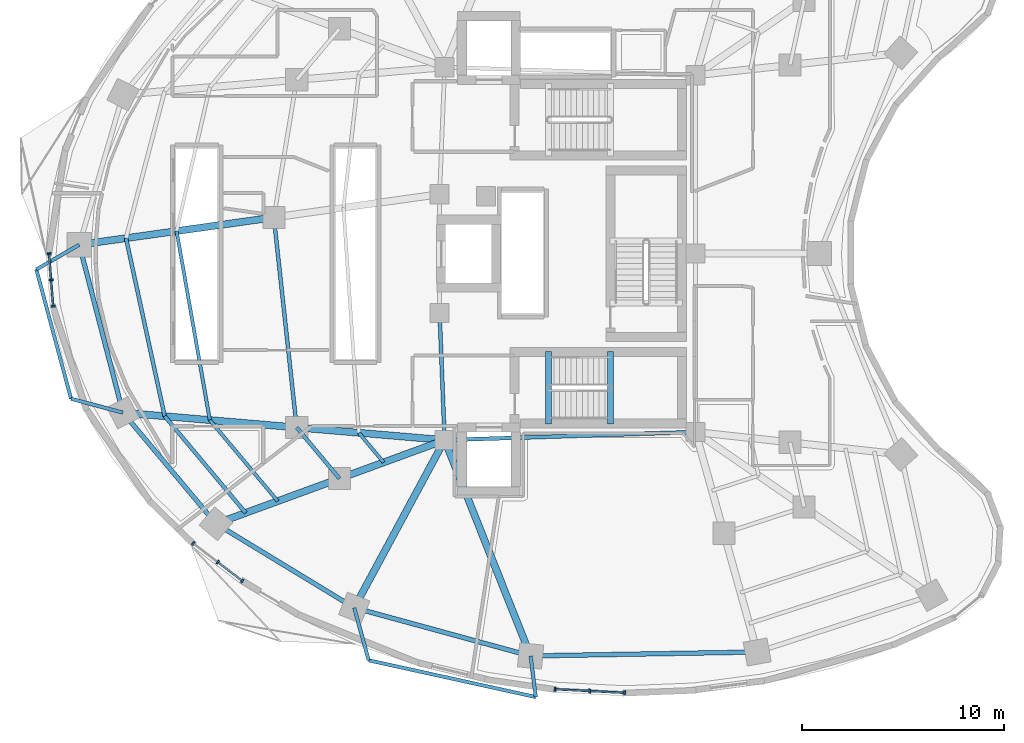
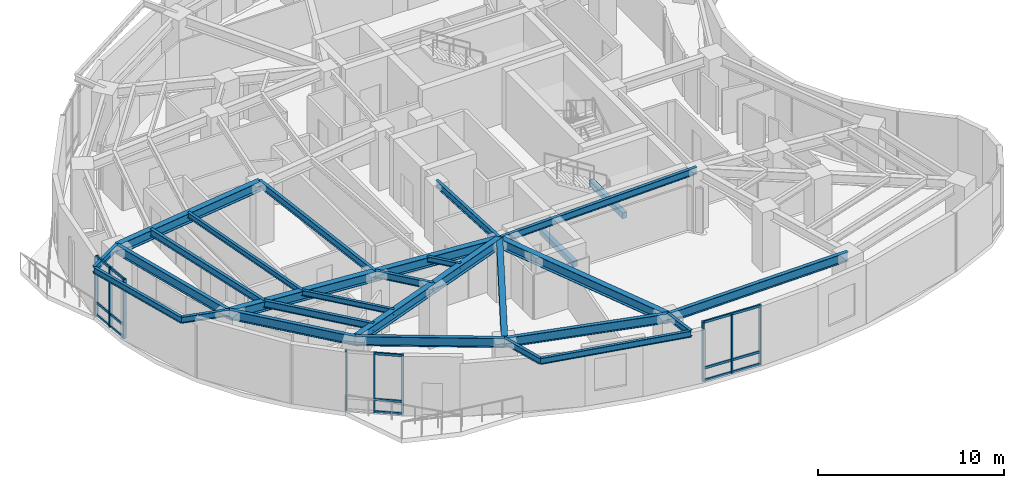
# One storey, part 2 of 14: 29 beams, 24 members, 3 elements without a shape of their own.
"""IFC4 building model written with IfcOpenShell, lengths in metres."""

import ifcopenshell
import ifcopenshell.guid

model = None  # the IFC model being written
_history = None  # IfcOwnerHistory: only IFC2X3 demands one
_inside = {}  # id of a spatial element -> (the spatial element, [elements in it])
_under = {}  # id of a project, library or spatial element -> (it, [spatial elements below it])
_declared = {}  # id of a project -> (the project, [libraries it declares])
_typed = {}  # id of a type object -> (the type object, [elements of that type])
_made_of = {}  # id of a material, layer set ... -> (it, [elements and type objects made of it])


def new_model(schema):
    """Start an empty IFC model of exactly this schema.

    Asked for "IFC4X3", IfcOpenShell would pick the latest addendum, in which some entities
    have other attributes; the version numbers below select the first issue.
    IFC2X3 requires an IfcOwnerHistory on every rooted entity: one is made here for all.
    """
    global model, _history
    if schema == "IFC4X3":
        model = ifcopenshell.file(schema_version=(4, 3, 0, 0))
    else:
        model = ifcopenshell.file(schema=schema)
    _inside.clear()
    _under.clear()
    _declared.clear()
    _typed.clear()
    _made_of.clear()
    _history = None
    if model.schema == "IFC2X3":
        org = make("IfcOrganization", Name="unknown")
        user = make(
            "IfcPersonAndOrganization",
            ThePerson=make("IfcPerson", FamilyName="unknown"),
            TheOrganization=org,
        )
        app = make(
            "IfcApplication",
            ApplicationDeveloper=org,
            Version="unknown",
            ApplicationFullName="unknown",
            ApplicationIdentifier="unknown",
        )
        _history = make(
            "IfcOwnerHistory",
            OwningUser=user,
            OwningApplication=app,
            ChangeAction="ADDED",
            CreationDate=0,
        )
    return model


def make(cls, **values):
    """One entity of the class cls with the attributes given. An attribute that is None is left unset."""
    return model.create_entity(
        cls, **{name: value for name, value in values.items() if value is not None}
    )


def rooted(cls, **values):
    """An entity with a GlobalId (a new one), such as an element, a storey or a relation."""
    return make(cls, GlobalId=ifcopenshell.guid.new(), OwnerHistory=_history, **values)


def si_unit(unit_type, name, prefix=None):
    """IfcSIUnit, for example si_unit("LENGTHUNIT", "METRE", prefix="MILLI")."""
    return make("IfcSIUnit", UnitType=unit_type, Prefix=prefix, Name=name)


def assignment(units):
    """IfcUnitAssignment: the units of a project."""
    return None if units is None else make("IfcUnitAssignment", Units=units)


def point(xyz):
    """IfcCartesianPoint."""
    return None if xyz is None else make("IfcCartesianPoint", Coordinates=xyz)


def direction(xyz):
    """IfcDirection."""
    return None if xyz is None else make("IfcDirection", DirectionRatios=xyz)


def frame(location, z_axis=None, x_axis=None):
    """IfcAxis2Placement3D, a coordinate frame: its origin and axes. An axis left out is left unset."""
    return make(
        "IfcAxis2Placement3D",
        Location=point(location),
        Axis=direction(z_axis),
        RefDirection=direction(x_axis),
    )


def frame_2d(location, x_axis=None):
    """IfcAxis2Placement2D, a coordinate frame in the plane: its origin and x axis."""
    return make(
        "IfcAxis2Placement2D", Location=point(location), RefDirection=direction(x_axis)
    )


def origin():
    """The frame at (0, 0, 0) with its axes left unset."""
    return frame((0.0, 0.0, 0.0))


def origin_2d():
    """The frame at (0, 0) in the plane with its x axis left unset."""
    return frame_2d((0.0, 0.0))


def place(relative_to, where):
    """IfcLocalPlacement: puts the frame where relative to a parent placement (None: the world)."""
    return make(
        "IfcLocalPlacement", PlacementRelTo=relative_to, RelativePlacement=where
    )


def context(
    kind, dimensions, precision=None, world=None, true_north=None, identifier=None
):
    """IfcGeometricRepresentationContext, for example the 3D "Model" context."""
    return make(
        "IfcGeometricRepresentationContext",
        ContextIdentifier=identifier,
        ContextType=kind,
        CoordinateSpaceDimension=dimensions,
        Precision=precision,
        WorldCoordinateSystem=world,
        TrueNorth=true_north,
    )


def subcontext(parent, identifier, kind, view, scale=None):
    """IfcGeometricRepresentationSubContext, for example "Body" below "Model"."""
    return make(
        "IfcGeometricRepresentationSubContext",
        ContextIdentifier=identifier,
        ContextType=kind,
        ParentContext=parent,
        TargetScale=scale,
        TargetView=view,
    )


def project(units=None, contexts=None):
    """IfcProject with its units and contexts."""
    return rooted(
        "IfcProject",
        Name="project",
        RepresentationContexts=contexts,
        UnitsInContext=assignment(units),
    )


def spatial(cls, under=None, at=None, **own):
    """A site, building, storey or space (cls), placed at a placement, below another one or the project."""
    s = rooted(cls, ObjectPlacement=at, **own)
    if under is not None:
        _under.setdefault(under.id(), (under, []))[1].append(s)
    return s


def profile(cls, at=None, kind="AREA", **sizes):
    """A parametric profile (cls). Its sizes go by their IFC names, for example OverallWidth=200.0."""
    return make(cls, ProfileType=kind, Position=at, **sizes)


def rectangle(**sizes):
    """IfcRectangleProfileDef."""
    return profile("IfcRectangleProfileDef", **sizes)


def i_section(**sizes):
    """IfcIShapeProfileDef."""
    return profile("IfcIShapeProfileDef", **sizes)


def extrude(swept, where, along, depth):
    """IfcExtrudedAreaSolid: the profile swept, set in the frame where, extruded along a direction by depth."""
    return make(
        "IfcExtrudedAreaSolid",
        SweptArea=swept,
        Position=where,
        ExtrudedDirection=direction(along),
        Depth=depth,
    )


def shape(context_of_items, identifier, shape_type, items):
    """IfcShapeRepresentation: the items that make up one representation, for example the "Body"."""
    return make(
        "IfcShapeRepresentation",
        ContextOfItems=context_of_items,
        RepresentationIdentifier=identifier,
        RepresentationType=shape_type,
        Items=items,
    )


def material(Name=None, Category=None):
    """IfcMaterial."""
    return make("IfcMaterial", Name=Name, Category=Category)


def layer(
    of_material, thickness, ventilated=None, Name=None, Category=None, Priority=None
):
    """IfcMaterialLayer: one layer of a wall or slab, of a material (None: an air gap)."""
    return make(
        "IfcMaterialLayer",
        Material=of_material,
        LayerThickness=thickness,
        IsVentilated=ventilated,
        Name=Name,
        Category=Category,
        Priority=Priority,
    )


def layer_set(layers, Name=None):
    """IfcMaterialLayerSet."""
    return make("IfcMaterialLayerSet", MaterialLayers=layers, LayerSetName=Name)


def material_profile(
    of_material, cross_section, Name=None, Category=None, Priority=None
):
    """IfcMaterialProfile: a cross section and its material."""
    return make(
        "IfcMaterialProfile",
        Name=Name,
        Material=of_material,
        Profile=cross_section,
        Priority=Priority,
        Category=Category,
    )


def profile_set(profiles, Name=None, composite=None):
    """IfcMaterialProfileSet."""
    return make(
        "IfcMaterialProfileSet",
        Name=Name,
        MaterialProfiles=profiles,
        CompositeProfile=composite,
    )


def made_of(thing, what):
    """Note that an element or type object is made of a material, layer set ...; save() writes the relation."""
    if what is not None:
        _made_of.setdefault(what.id(), (what, []))[1].append(thing)
    return thing


def type_object(cls, material=None, **own):
    """A type object (cls), such as IfcWallType, which elements share."""
    return made_of(rooted(cls, **own), material)


def element(
    cls,
    number,
    at=None,
    inside=None,
    cuts=None,
    type_object=None,
    material=None,
    context=None,
    identifier="Body",
    shape_type=None,
    held_by="IfcProductDefinitionShape",
    body=None,
    shapes=None,
    **own,
):
    """One element of the class cls, such as IfcWall. Its Tag is "e" and its number.

    at: its placement. inside: the storey or other place that contains it. cuts: it is an
    opening in that element (IfcRelVoidsElement). A single representation is given by context,
    identifier, shape_type and body (its items); several are given by shapes. held_by: the class
    of the entity that holds the representations. save() writes the other relations.
    """
    e = rooted(cls, Tag="e%d" % number, ObjectPlacement=at, **own)
    if body is not None:
        shapes = [shape(context, identifier, shape_type, body)]
    if shapes is not None:
        e.Representation = make(held_by, Representations=shapes)
    if inside is not None:
        _inside.setdefault(inside.id(), (inside, []))[1].append(e)
    if cuts is not None:
        rooted(
            "IfcRelVoidsElement", RelatingBuildingElement=cuts, RelatedOpeningElement=e
        )
    if type_object is not None:
        _typed.setdefault(type_object.id(), (type_object, []))[1].append(e)
    return made_of(e, material)


def aggregate(whole, parts):
    """IfcRelAggregates: a whole, such as a stair, and the parts it consists of."""
    return rooted("IfcRelAggregates", RelatingObject=whole, RelatedObjects=parts)


def save(model, path):
    """Write the relations noted so far, then the file.

    IfcRelAggregates (storeys below a building ...), IfcRelContainedInSpatialStructure (elements
    in a storey), IfcRelDefinesByType, IfcRelAssociatesMaterial and IfcRelDeclares: one each for
    every whole, place, type object, material and project.
    """
    for whole, parts in _under.values():
        aggregate(whole, parts)
    for where, things in _inside.values():
        rooted(
            "IfcRelContainedInSpatialStructure",
            RelatedElements=things,
            RelatingStructure=where,
        )
    for kind, things in _typed.values():
        rooted("IfcRelDefinesByType", RelatedObjects=things, RelatingType=kind)
    for what, things in _made_of.values():
        rooted("IfcRelAssociatesMaterial", RelatedObjects=things, RelatingMaterial=what)
    for by, libraries in _declared.values():
        rooted("IfcRelDeclares", RelatingContext=by, RelatedDefinitions=libraries)
    model.write(path)


model = new_model("IFC4")

# Units and contexts
model_context = context("Model", 3, precision=1e-05, world=origin(), true_north=direction((0.0, 1.0)))
body_context = subcontext(model_context, "Body", "Model", "MODEL_VIEW")
ifc_project = project(units=[si_unit("LENGTHUNIT", "METRE"), si_unit("AREAUNIT", "SQUARE_METRE"), si_unit("VOLUMEUNIT", "CUBIC_METRE"), si_unit("PLANEANGLEUNIT", "RADIAN"), si_unit("MASSUNIT", "GRAM", prefix="KILO")], contexts=[model_context])

# Site, building, storey
site_placement = place(None, origin())
site = spatial("IfcSite", under=ifc_project, at=site_placement, CompositionType="ELEMENT")
building_placement = place(site_placement, origin())
building = spatial("IfcBuilding", under=site, at=building_placement, Name="Korentha Bioscience Tower", CompositionType="ELEMENT")
storey_placement = place(building_placement, frame((0.0, 0.0, 119.39990234375)))
storey = spatial("IfcBuildingStorey", under=building, at=storey_placement, Name="L27", CompositionType="ELEMENT", Elevation=119.39990234375)

# Beams
ifc_material_1 = material(Name="Concrete C50", Category="concrete")
ifc_material_profile_1 = material_profile(ifc_material_1, rectangle(XDim=0.280029296875, YDim=0.3798828125, at=origin_2d()), Name="Concrete C50")
ifc_profile_set_1 = profile_set([ifc_material_profile_1], Name="Concrete C50 (ST-HB380)")
beam_type_1 = type_object("IfcBeamType", Name="Concrete Stair Header Beam RC 280x380", PredefinedType="BEAM", material=ifc_profile_set_1)
for number, where, z_axis, x_axis, name in (
    (1, (30.25, 18.550048828125, -0.18994140625), (0.0, 1.0, 0.0), (-1.0, 0.0, 0.0), "L27 ST-2 Concrete Stair Header Beam"),
    (2, (33.330078125, 18.550048828125, 1.91015625), (0.0, 1.0, 0.0), (-1.0, 0.0, 0.0), "L27 ST-2 Half-Landing Header Beam 1"),
):
    element("IfcBeam", number, at=place(storey_placement, frame(where, z_axis=z_axis, x_axis=x_axis)), inside=storey, type_object=beam_type_1, Name=name, PredefinedType="BEAM", context=body_context, shape_type="SweptSolid", body=[
        extrude(rectangle(XDim=0.280029296875, YDim=0.3798828125, at=origin_2d()), origin(), (0.0, 0.0, 1.0), 3.599853515625),
    ])
ifc_material_2 = material(Name="Steel S355", Category="steel")
ifc_material_profile_2 = material_profile(ifc_material_2, i_section(OverallWidth=0.18994140625, OverallDepth=0.45703125, WebThickness=0.009033203125, FlangeThickness=0.014404296875, at=origin_2d()), Name="Steel S355")
ifc_profile_set_2 = profile_set([ifc_material_profile_2], Name="Steel S355 (MB-460)")
beam_type_2 = type_object("IfcBeamType", Name="Mid-Ring Tie Girder W460x74", PredefinedType="BEAM", material=ifc_profile_set_2)
beam_1_placement = place(storey_placement, frame((16.627197265625, 28.796630859375, 3.671630859375), z_axis=(0.108002632645, -0.994150607977, 0.0), x_axis=(0.994150607977, 0.108002632645, 0.0)))
element("IfcBeam", 3, at=beam_1_placement, inside=storey, type_object=beam_type_2, Name="L27 Mid-Ring Tie Girder 07", PredefinedType="BEAM", context=body_context, shape_type="SweptSolid", body=[
    extrude(i_section(OverallWidth=0.18994140625, OverallDepth=0.45703125, WebThickness=0.009033203125, FlangeThickness=0.014404296875, at=origin_2d()), origin(), (0.0, 0.0, 1.0), 10.48193359375),
])
beam_2_placement = place(storey_placement, frame((17.75927734375, 18.3759765625, 3.671630859375), z_axis=(0.642121371708, -0.766602989817, 0.0), x_axis=(0.766602989817, 0.642121371708, 0.0)))
element("IfcBeam", 4, at=beam_2_placement, inside=storey, type_object=beam_type_2, Name="L27 Mid-Ring Tie Girder 08", PredefinedType="BEAM", context=body_context, shape_type="SweptSolid", body=[
    extrude(i_section(OverallWidth=0.18994140625, OverallDepth=0.45703125, WebThickness=0.009033203125, FlangeThickness=0.014404296875, at=origin_2d()), origin(), (0.0, 0.0, 1.0), 3.306640625),
])
beam_3_placement = place(storey_placement, frame((24.85009765625, 24.050048828125, 3.671630859375), z_axis=(0.039651025576, -0.999213588864, 0.0), x_axis=(0.999213588864, 0.039651025576, 0.0)))
element("IfcBeam", 5, at=beam_3_placement, inside=storey, type_object=beam_type_2, Name="L27 Core Ring Tie Girder 04", PredefinedType="BEAM", context=body_context, shape_type="SweptSolid", body=[
    extrude(i_section(OverallWidth=0.18994140625, OverallDepth=0.45703125, WebThickness=0.009033203125, FlangeThickness=0.014404296875, at=origin_2d()), origin(), (0.0, 0.0, 1.0), 6.304931640625),
])
beam_4_placement = place(storey_placement, frame((25.10009765625, 17.75, 3.671630859375), z_axis=(0.999484526071, 0.032104238723, 0.0), x_axis=(-0.032104238723, 0.999484526071, 0.0)))
element("IfcBeam", 6, at=beam_4_placement, inside=storey, type_object=beam_type_2, Name="L27 Core Ring Tie Girder 05", PredefinedType="BEAM", context=body_context, shape_type="SweptSolid", body=[
    extrude(i_section(OverallWidth=0.18994140625, OverallDepth=0.45703125, WebThickness=0.009033203125, FlangeThickness=0.014404296875, at=origin_2d()), origin(), (0.0, 0.0, 1.0), 12.456298828125),
])

# Curtain wall, members
ifc_material_3 = material(Name="Thermally Broken Aluminium Frame", Category="aluminium")
ifc_layer = layer(ifc_material_3, 0.219970703125, Name="Thermally Broken Aluminium Frame")
ifc_layer_set = layer_set([ifc_layer], Name="Thermally Broken Aluminium Frame (CW-T1)")
curtain_wall_type = type_object("IfcCurtainWallType", Name="Standard Bioscience Lab Unitised Curtain Wall CW-T1", PredefinedType="USERDEFINED", material=ifc_layer_set)
curtain_wall_1_placement = place(storey_placement, origin())
curtain_wall_1 = element("IfcCurtainWall", 7, at=curtain_wall_1_placement, inside=storey, type_object=curtain_wall_type, Name="L27 Curtain Wall 19", ObjectType="UNITISED", PredefinedType="USERDEFINED")
ifc_material_4 = material(Name="Anodised Aluminium 6063-T6", Category="aluminium")
ifc_material_profile_3 = material_profile(ifc_material_4, rectangle(XDim=0.090087890625, YDim=0.199951171875, at=origin_2d()), Name="Anodised Aluminium 6063-T6")
ifc_profile_set_3 = profile_set([ifc_material_profile_3], Name="Anodised Aluminium 6063-T6 (CW-MUL)")
member_type_1 = type_object("IfcMemberType", Name="Mullion RECT 90x200", PredefinedType="MULLION", material=ifc_profile_set_3)
member_1_placement = place(storey_placement, frame((5.473876953125, 27.0078125, 0.0), z_axis=(0.0, 0.0, 1.0), x_axis=(0.079130214674, -0.996864288219, 0.0)))
member_1 = element("IfcMember", 8, at=member_1_placement, type_object=member_type_1, Name="CW-L27-19 Mullion 1", PredefinedType="MULLION", context=body_context, shape_type="SweptSolid", body=[
    extrude(rectangle(XDim=0.090087890625, YDim=0.199951171875, at=origin_2d()), origin(), (0.0, 0.0, 1.0), 3.900146484375),
])
member_2_placement = place(storey_placement, frame((5.577880859375, 25.6962890625, 0.0), z_axis=(0.0, 0.0, 1.0), x_axis=(0.079130214674, -0.996864288219, 0.0)))
member_2 = element("IfcMember", 9, at=member_2_placement, type_object=member_type_1, Name="CW-L27-19 Mullion 2", PredefinedType="MULLION", context=body_context, shape_type="SweptSolid", body=[
    extrude(rectangle(XDim=0.090087890625, YDim=0.199951171875, at=origin_2d()), origin(), (0.0, 0.0, 1.0), 3.900146484375),
])
member_3_placement = place(storey_placement, frame((5.681884765625, 24.38525390625, 0.0), z_axis=(0.0, 0.0, 1.0), x_axis=(0.079130214674, -0.996864288219, 0.0)))
member_3 = element("IfcMember", 10, at=member_3_placement, type_object=member_type_1, Name="CW-L27-19 Mullion 3", PredefinedType="MULLION", context=body_context, shape_type="SweptSolid", body=[
    extrude(rectangle(XDim=0.090087890625, YDim=0.199951171875, at=origin_2d()), origin(), (0.0, 0.0, 1.0), 3.900146484375),
])

curtain_wall_2_placement = place(storey_placement, origin())
curtain_wall_2 = element("IfcCurtainWall", 11, at=curtain_wall_2_placement, inside=storey, type_object=curtain_wall_type, Name="L27 Curtain Wall 25", ObjectType="UNITISED", PredefinedType="USERDEFINED")
member_4_placement = place(storey_placement, frame((12.624267578125, 12.62890625, 0.0), z_axis=(0.0, 0.0, 1.0), x_axis=(0.794499603893, -0.607264669986, 0.0)))
member_4 = element("IfcMember", 12, at=member_4_placement, type_object=member_type_1, Name="CW-L27-25 Mullion 1", PredefinedType="MULLION", context=body_context, shape_type="SweptSolid", body=[
    extrude(rectangle(XDim=0.090087890625, YDim=0.199951171875, at=origin_2d()), origin(), (0.0, 0.0, 1.0), 3.900146484375),
])
member_5_placement = place(storey_placement, frame((13.844970703125, 11.69580078125, 0.0), z_axis=(0.0, 0.0, 1.0), x_axis=(0.794499603893, -0.607264669986, 0.0)))
member_5 = element("IfcMember", 13, at=member_5_placement, type_object=member_type_1, Name="CW-L27-25 Mullion 2", PredefinedType="MULLION", context=body_context, shape_type="SweptSolid", body=[
    extrude(rectangle(XDim=0.090087890625, YDim=0.199951171875, at=origin_2d()), origin(), (0.0, 0.0, 1.0), 3.900146484375),
])
member_6_placement = place(storey_placement, frame((15.0654296875, 10.7626953125, 0.0), z_axis=(0.0, 0.0, 1.0), x_axis=(0.794499603893, -0.607264669986, 0.0)))
member_6 = element("IfcMember", 14, at=member_6_placement, type_object=member_type_1, Name="CW-L27-25 Mullion 3", PredefinedType="MULLION", context=body_context, shape_type="SweptSolid", body=[
    extrude(rectangle(XDim=0.090087890625, YDim=0.199951171875, at=origin_2d()), origin(), (0.0, 0.0, 1.0), 3.900146484375),
])

curtain_wall_3_placement = place(storey_placement, origin())
curtain_wall_3 = element("IfcCurtainWall", 15, at=curtain_wall_3_placement, inside=storey, type_object=curtain_wall_type, Name="L27 Curtain Wall 31", ObjectType="UNITISED", PredefinedType="USERDEFINED")
member_7_placement = place(storey_placement, frame((30.571533203125, 5.39111328125, 0.0), z_axis=(0.0, 0.0, 1.0), x_axis=(0.998673231344, -0.051495407527, 0.0)))
member_7 = element("IfcMember", 16, at=member_7_placement, type_object=member_type_1, Name="CW-L27-31 Mullion 1", PredefinedType="MULLION", context=body_context, shape_type="SweptSolid", body=[
    extrude(rectangle(XDim=0.090087890625, YDim=0.199951171875, at=origin_2d()), origin(), (0.0, 0.0, 1.0), 3.900146484375),
])
member_8_placement = place(storey_placement, frame((32.301025390625, 5.302001953125, 0.0), z_axis=(0.0, 0.0, 1.0), x_axis=(0.998673231344, -0.051495407527, 0.0)))
member_8 = element("IfcMember", 17, at=member_8_placement, type_object=member_type_1, Name="CW-L27-31 Mullion 2", PredefinedType="MULLION", context=body_context, shape_type="SweptSolid", body=[
    extrude(rectangle(XDim=0.090087890625, YDim=0.199951171875, at=origin_2d()), origin(), (0.0, 0.0, 1.0), 3.900146484375),
])
member_9_placement = place(storey_placement, frame((34.03076171875, 5.212646484375, 0.0), z_axis=(0.0, 0.0, 1.0), x_axis=(0.998673231344, -0.051495407527, 0.0)))
member_9 = element("IfcMember", 18, at=member_9_placement, type_object=member_type_1, Name="CW-L27-31 Mullion 3", PredefinedType="MULLION", context=body_context, shape_type="SweptSolid", body=[
    extrude(rectangle(XDim=0.090087890625, YDim=0.199951171875, at=origin_2d()), origin(), (0.0, 0.0, 1.0), 3.900146484375),
])

# Beams
ifc_material_profile_4 = material_profile(ifc_material_2, i_section(OverallWidth=0.22802734375, OverallDepth=0.60791015625, WebThickness=0.01123046875, FlangeThickness=0.017333984375, at=origin_2d()), Name="Steel S355")
ifc_profile_set_4 = profile_set([ifc_material_profile_4], Name="Steel S355 (SB-610)")
beam_type_3 = type_object("IfcBeamType", Name="Perimeter Ring Spandrel Girder W610x113", PredefinedType="SPANDREL", material=ifc_profile_set_4)
beam_5_placement = place(storey_placement, frame((6.97412109375, 27.4423828125, 3.59619140625), z_axis=(0.251792692694, -0.96778119423, 0.0), x_axis=(0.96778119423, 0.251792692694, 0.0)))
element("IfcBeam", 19, at=beam_5_placement, inside=storey, type_object=beam_type_3, Name="L27 Perimeter Spandrel Girder 07", PredefinedType="SPANDREL", context=body_context, shape_type="SweptSolid", body=[
    extrude(i_section(OverallWidth=0.22802734375, OverallDepth=0.60791015625, WebThickness=0.01123046875, FlangeThickness=0.017333984375, at=origin_2d()), origin(), (0.0, 0.0, 1.0), 8.609130859375),
])
beam_6_placement = place(storey_placement, frame((9.141845703125, 19.110595703125, 3.59619140625), z_axis=(0.642126556076, -0.76659864726, 0.0), x_axis=(0.76659864726, 0.642126556076, 0.0)))
element("IfcBeam", 20, at=beam_6_placement, inside=storey, type_object=beam_type_3, Name="L27 Perimeter Spandrel Girder 08", PredefinedType="SPANDREL", context=body_context, shape_type="SweptSolid", body=[
    extrude(i_section(OverallWidth=0.22802734375, OverallDepth=0.60791015625, WebThickness=0.01123046875, FlangeThickness=0.017333984375, at=origin_2d()), origin(), (0.0, 0.0, 1.0), 7.1884765625),
])
beam_7_placement = place(storey_placement, frame((13.7578125, 13.599853515625, 3.59619140625), z_axis=(0.854461040474, -0.51951547649, 0.0), x_axis=(0.51951547649, 0.854461040474, 0.0)))
element("IfcBeam", 21, at=beam_7_placement, inside=storey, type_object=beam_type_3, Name="L27 Perimeter Spandrel Girder 09", PredefinedType="SPANDREL", context=body_context, shape_type="SweptSolid", body=[
    extrude(i_section(OverallWidth=0.22802734375, OverallDepth=0.60791015625, WebThickness=0.01123046875, FlangeThickness=0.017333984375, at=origin_2d()), origin(), (0.0, 0.0, 1.0), 8.025146484375),
])
beam_8_placement = place(storey_placement, frame((20.614990234375, 9.4306640625, 3.59619140625), z_axis=(0.964659386444, -0.263500034431, 0.0), x_axis=(0.263500034431, 0.964659386444, 0.0)))
element("IfcBeam", 22, at=beam_8_placement, inside=storey, type_object=beam_type_3, Name="L27 Perimeter Spandrel Girder 10", PredefinedType="SPANDREL", context=body_context, shape_type="SweptSolid", body=[
    extrude(i_section(OverallWidth=0.22802734375, OverallDepth=0.60791015625, WebThickness=0.01123046875, FlangeThickness=0.017333984375, at=origin_2d()), origin(), (0.0, 0.0, 1.0), 9.06982421875),
])
beam_9_placement = place(storey_placement, frame((29.3642578125, 7.040771484375, 3.59619140625), z_axis=(0.999850566826, 0.017287105523, 0.0), x_axis=(-0.017287105523, 0.999850566826, 0.0)))
element("IfcBeam", 23, at=beam_9_placement, inside=storey, type_object=beam_type_3, Name="L27 Perimeter Spandrel Girder 11", PredefinedType="SPANDREL", context=body_context, shape_type="SweptSolid", body=[
    extrude(i_section(OverallWidth=0.22802734375, OverallDepth=0.60791015625, WebThickness=0.01123046875, FlangeThickness=0.017333984375, at=origin_2d()), origin(), (0.0, 0.0, 1.0), 11.24169921875),
])
ifc_material_profile_5 = material_profile(ifc_material_2, i_section(OverallWidth=0.18994140625, OverallDepth=0.45703125, WebThickness=0.009033203125, FlangeThickness=0.014404296875, at=origin_2d()), Name="Steel S355")
ifc_profile_set_5 = profile_set([ifc_material_profile_5], Name="Steel S355 (RB-460)")
beam_type_4 = type_object("IfcBeamType", Name="Radial Laboratory Beam W460x74", PredefinedType="BEAM", material=ifc_profile_set_5)
beam_10_placement = place(storey_placement, frame((9.291015625, 27.767578125, 3.671630859375), z_axis=(0.212289478944, -0.977206824132, 0.0), x_axis=(0.977206824132, 0.212289478944, 0.0)))
element("IfcBeam", 24, at=beam_10_placement, inside=storey, type_object=beam_type_4, Name="L27 Secondary Floor Beam JSTO-07", PredefinedType="BEAM", context=body_context, shape_type="SweptSolid", body=[
    extrude(i_section(OverallWidth=0.18994140625, OverallDepth=0.45703125, WebThickness=0.009033203125, FlangeThickness=0.014404296875, at=origin_2d()), origin(), (0.0, 0.0, 1.0), 9.039306640625),
])
beam_11_placement = place(storey_placement, frame((11.2099609375, 18.934326171875, 3.671630859375), z_axis=(0.642128156066, -0.766597307057, 0.0), x_axis=(0.766597307057, 0.642128156066, 0.0)))
element("IfcBeam", 25, at=beam_11_placement, inside=storey, type_object=beam_type_4, Name="L27 Secondary Floor Beam JSTO-08", PredefinedType="BEAM", context=body_context, shape_type="SweptSolid", body=[
    extrude(i_section(OverallWidth=0.18994140625, OverallDepth=0.45703125, WebThickness=0.009033203125, FlangeThickness=0.014404296875, at=origin_2d()), origin(), (0.0, 0.0, 1.0), 6.257080078125),
])
ifc_material_profile_6 = material_profile(ifc_material_2, i_section(OverallWidth=0.35009765625, OverallDepth=0.64990234375, WebThickness=0.01611328125, FlangeThickness=0.02490234375, at=origin_2d()), Name="Steel S355")
ifc_profile_set_6 = profile_set([ifc_material_profile_6], Name="Steel S355 (RB-650)")
beam_type_5 = type_object("IfcBeamType", Name="Radial Laboratory Girder CVS 650x208", PredefinedType="BEAM", material=ifc_profile_set_6)
beam_12_placement = place(storey_placement, frame((16.627197265625, 28.796630859375, 3.5751953125), z_axis=(-0.99030201931, -0.138931315944, 0.0), x_axis=(0.138931315944, -0.99030201931, 0.0)))
element("IfcBeam", 26, at=beam_12_placement, inside=storey, type_object=beam_type_5, Name="L27 Outer Radial Girder 07", PredefinedType="BEAM", context=body_context, shape_type="SweptSolid", body=[
    extrude(i_section(OverallWidth=0.35009765625, OverallDepth=0.64990234375, WebThickness=0.01611328125, FlangeThickness=0.02490234375, at=origin_2d()), origin(), (0.0, 0.0, 1.0), 9.74755859375),
])
beam_13_placement = place(storey_placement, frame((25.10009765625, 17.75, 3.5751953125), z_axis=(-0.996383934197, 0.084965026183, 0.0), x_axis=(-0.084965026183, -0.996383934197, 0.0)))
element("IfcBeam", 27, at=beam_13_placement, inside=storey, type_object=beam_type_5, Name="L27 Inner Radial Girder 08", PredefinedType="BEAM", context=body_context, shape_type="SweptSolid", body=[
    extrude(i_section(OverallWidth=0.35009765625, OverallDepth=0.64990234375, WebThickness=0.01611328125, FlangeThickness=0.02490234375, at=origin_2d()), origin(), (0.0, 0.0, 1.0), 7.367431640625),
])
beam_14_placement = place(storey_placement, frame((17.75927734375, 18.3759765625, 3.5751953125), z_axis=(-0.996386071548, 0.084939957767, 0.0), x_axis=(-0.084939957767, -0.996386071548, 0.0)))
element("IfcBeam", 28, at=beam_14_placement, inside=storey, type_object=beam_type_5, Name="L27 Outer Radial Girder 08", PredefinedType="BEAM", context=body_context, shape_type="SweptSolid", body=[
    extrude(i_section(OverallWidth=0.35009765625, OverallDepth=0.64990234375, WebThickness=0.01611328125, FlangeThickness=0.02490234375, at=origin_2d()), origin(), (0.0, 0.0, 1.0), 8.648681640625),
])
beam_15_placement = place(storey_placement, frame((25.10009765625, 17.75, 3.5751953125), z_axis=(-0.939118010396, -0.343594765022, 0.0), x_axis=(0.343594765022, -0.939118010396, 0.0)))
element("IfcBeam", 29, at=beam_15_placement, inside=storey, type_object=beam_type_5, Name="L27 Inner Radial Girder 09", PredefinedType="BEAM", context=body_context, shape_type="SweptSolid", body=[
    extrude(i_section(OverallWidth=0.35009765625, OverallDepth=0.64990234375, WebThickness=0.01611328125, FlangeThickness=0.02490234375, at=origin_2d()), origin(), (0.0, 0.0, 1.0), 5.5556640625),
])
beam_16_placement = place(storey_placement, frame((19.882568359375, 15.841064453125, 3.5751953125), z_axis=(-0.939100755225, -0.343641923425, 0.0), x_axis=(0.343641923425, -0.939100755225, 0.0)))
element("IfcBeam", 30, at=beam_16_placement, inside=storey, type_object=beam_type_5, Name="L27 Outer Radial Girder 09", PredefinedType="BEAM", context=body_context, shape_type="SweptSolid", body=[
    extrude(i_section(OverallWidth=0.35009765625, OverallDepth=0.64990234375, WebThickness=0.01611328125, FlangeThickness=0.02490234375, at=origin_2d()), origin(), (0.0, 0.0, 1.0), 6.52197265625),
])
beam_17_placement = place(storey_placement, frame((25.10009765625, 17.75, 3.5751953125), z_axis=(-0.474548018732, -0.880229616587, 0.0), x_axis=(0.880229616587, -0.474548018732, 0.0)))
element("IfcBeam", 31, at=beam_17_placement, inside=storey, type_object=beam_type_5, Name="L27 Radial Girder 10", PredefinedType="BEAM", context=body_context, shape_type="SweptSolid", body=[
    extrude(i_section(OverallWidth=0.35009765625, OverallDepth=0.64990234375, WebThickness=0.01611328125, FlangeThickness=0.02490234375, at=origin_2d()), origin(), (0.0, 0.0, 1.0), 9.451416015625),
])
beam_18_placement = place(storey_placement, frame((25.10009765625, 17.75, 3.5751953125), z_axis=(0.369929528493, -0.929059817207, 0.0), x_axis=(0.929059817207, 0.369929528493, 0.0)))
element("IfcBeam", 32, at=beam_18_placement, inside=storey, type_object=beam_type_5, Name="L27 Radial Girder 11", PredefinedType="BEAM", context=body_context, shape_type="SweptSolid", body=[
    extrude(i_section(OverallWidth=0.35009765625, OverallDepth=0.64990234375, WebThickness=0.01611328125, FlangeThickness=0.02490234375, at=origin_2d()), origin(), (0.0, 0.0, 1.0), 11.52685546875),
])
ifc_material_profile_7 = material_profile(ifc_material_2, i_section(OverallWidth=0.1708984375, OverallDepth=0.35498046875, WebThickness=0.007080078125, FlangeThickness=0.01171875, at=origin_2d()), Name="Steel S355")
ifc_profile_set_7 = profile_set([ifc_material_profile_7], Name="Steel S355 (JB-360)")
beam_type_6 = type_object("IfcBeamType", Name="Secondary Laboratory Joist W360x51", PredefinedType="JOIST", material=ifc_profile_set_7)
beam_19_placement = place(storey_placement, frame((11.800537109375, 28.11962890625, 3.72265625), z_axis=(0.173304009699, -0.984868377105, 0.0), x_axis=(0.984868377105, 0.173304009699, 0.0)))
element("IfcBeam", 33, at=beam_19_placement, inside=storey, type_object=beam_type_6, Name="L27 Secondary Floor Beam JST-07", PredefinedType="JOIST", context=body_context, shape_type="SweptSolid", body=[
    extrude(i_section(OverallWidth=0.1708984375, OverallDepth=0.35498046875, WebThickness=0.007080078125, FlangeThickness=0.01171875, at=origin_2d()), origin(), (0.0, 0.0, 1.0), 9.520263671875),
])
beam_20_placement = place(storey_placement, frame((13.450439453125, 18.743408203125, 3.72265625), z_axis=(0.642140812018, -0.76658670582, 0.0), x_axis=(0.76658670582, 0.642140812018, 0.0)))
element("IfcBeam", 34, at=beam_20_placement, inside=storey, type_object=beam_type_6, Name="L27 Secondary Floor Beam JST-08", PredefinedType="JOIST", context=body_context, shape_type="SweptSolid", body=[
    extrude(i_section(OverallWidth=0.1708984375, OverallDepth=0.35498046875, WebThickness=0.007080078125, FlangeThickness=0.01171875, at=origin_2d()), origin(), (0.0, 0.0, 1.0), 5.247802734375),
])
beam_21_placement = place(storey_placement, frame((20.84228515625, 18.113037109375, 3.72265625), z_axis=(0.64218549873, -0.766549271229, 0.0), x_axis=(0.766549271229, 0.64218549873, 0.0)))
element("IfcBeam", 35, at=beam_21_placement, inside=storey, type_object=beam_type_6, Name="L27 Inner Bay Joist 08", PredefinedType="JOIST", context=body_context, shape_type="SweptSolid", body=[
    extrude(i_section(OverallWidth=0.1708984375, OverallDepth=0.35498046875, WebThickness=0.007080078125, FlangeThickness=0.01171875, at=origin_2d()), origin(), (0.0, 0.0, 1.0), 1.91796875),
])
ifc_material_profile_8 = material_profile(ifc_material_2, i_section(OverallWidth=0.177978515625, OverallDepth=0.406982421875, WebThickness=0.0078125, FlangeThickness=0.0126953125, at=origin_2d()), Name="Steel S355")
ifc_profile_set_8 = profile_set([ifc_material_profile_8], Name="Steel S355 (CB-410)")
beam_type_7 = type_object("IfcBeamType", Name="Sun-Ledge Cantilever Beam W410x60", PredefinedType="BEAM", material=ifc_profile_set_8)
beam_22_placement = place(storey_placement, frame((6.97412109375, 27.4423828125, 3.698486328125), z_axis=(-0.866735655447, -0.498767785224, 0.0), x_axis=(0.498767785224, -0.866735655447, 0.0)))
element("IfcBeam", 36, at=beam_22_placement, inside=storey, type_object=beam_type_7, Name="L27 Balcony Cantilever Bracket A-L28-02", PredefinedType="BEAM", context=body_context, shape_type="SweptSolid", body=[
    extrude(i_section(OverallWidth=0.177978515625, OverallDepth=0.406982421875, WebThickness=0.0078125, FlangeThickness=0.0126953125, at=origin_2d()), origin(), (0.0, 0.0, 1.0), 2.458251953125),
])
beam_23_placement = place(storey_placement, frame((9.141845703125, 19.110595703125, 3.698486328125), z_axis=(-0.966099523327, 0.258169926653, 0.0), x_axis=(-0.258169926653, -0.966099523327, 0.0)))
element("IfcBeam", 37, at=beam_23_placement, inside=storey, type_object=beam_type_7, Name="L27 Balcony Cantilever Bracket B-L28-02", PredefinedType="BEAM", context=body_context, shape_type="SweptSolid", body=[
    extrude(i_section(OverallWidth=0.177978515625, OverallDepth=0.406982421875, WebThickness=0.0078125, FlangeThickness=0.0126953125, at=origin_2d()), origin(), (0.0, 0.0, 1.0), 2.665771484375),
])
beam_24_placement = place(storey_placement, frame((4.843505859375, 26.21630859375, 3.698486328125), z_axis=(0.259288233209, -0.965799985566, 0.0), x_axis=(0.965799985566, 0.259288233209, 0.0)))
element("IfcBeam", 38, at=beam_24_placement, inside=storey, type_object=beam_type_7, Name="L27 Balcony Edge Trimmer Beam L28-02", PredefinedType="BEAM", context=body_context, shape_type="SweptSolid", body=[
    extrude(i_section(OverallWidth=0.177978515625, OverallDepth=0.406982421875, WebThickness=0.0078125, FlangeThickness=0.0126953125, at=origin_2d()), origin(), (0.0, 0.0, 1.0), 6.644775390625),
])
beam_25_placement = place(storey_placement, frame((20.614990234375, 9.4306640625, 3.698486328125), z_axis=(0.26487511254, -0.964282725531, 0.0), x_axis=(0.964282725531, 0.26487511254, 0.0)))
element("IfcBeam", 39, at=beam_25_placement, inside=storey, type_object=beam_type_7, Name="L27 Balcony Cantilever Bracket A-L28-03", PredefinedType="BEAM", context=body_context, shape_type="SweptSolid", body=[
    extrude(i_section(OverallWidth=0.177978515625, OverallDepth=0.406982421875, WebThickness=0.0078125, FlangeThickness=0.0126953125, at=origin_2d()), origin(), (0.0, 0.0, 1.0), 2.702392578125),
])
beam_26_placement = place(storey_placement, frame((29.3642578125, 7.040771484375, 3.698486328125), z_axis=(0.124078617268, -0.992272390393, 0.0), x_axis=(0.992272390393, 0.124078617268, 0.0)))
element("IfcBeam", 40, at=beam_26_placement, inside=storey, type_object=beam_type_7, Name="L27 Balcony Cantilever Bracket B-L28-03", PredefinedType="BEAM", context=body_context, shape_type="SweptSolid", body=[
    extrude(i_section(OverallWidth=0.177978515625, OverallDepth=0.406982421875, WebThickness=0.0078125, FlangeThickness=0.0126953125, at=origin_2d()), origin(), (0.0, 0.0, 1.0), 2.05419921875),
])
beam_27_placement = place(storey_placement, frame((21.330810546875, 6.82470703125, 3.698486328125), z_axis=(0.976673314546, -0.21473061415, 0.0), x_axis=(0.21473061415, 0.976673314546, 0.0)))
element("IfcBeam", 41, at=beam_27_placement, inside=storey, type_object=beam_type_7, Name="L27 Balcony Edge Trimmer Beam L28-03", PredefinedType="BEAM", context=body_context, shape_type="SweptSolid", body=[
    extrude(i_section(OverallWidth=0.177978515625, OverallDepth=0.406982421875, WebThickness=0.0078125, FlangeThickness=0.0126953125, at=origin_2d()), origin(), (0.0, 0.0, 1.0), 8.486328125),
])

# Member
ifc_material_profile_9 = material_profile(ifc_material_4, rectangle(XDim=0.090087890625, YDim=0.159912109375, at=origin_2d()), Name="Anodised Aluminium 6063-T6")
ifc_profile_set_9 = profile_set([ifc_material_profile_9], Name="Anodised Aluminium 6063-T6 (CW-TRN)")
member_type_2 = type_object("IfcMemberType", Name="Transom RECT 90x160", PredefinedType="USERDEFINED", material=ifc_profile_set_9)
member_10_placement = place(storey_placement, frame((5.477294921875, 26.962890625, 0.045166015625), z_axis=(0.079285983344, -0.996851911191, 0.0), x_axis=(0.996851911191, 0.079285983344, 0.0)))
member_10 = element("IfcMember", 42, at=member_10_placement, type_object=member_type_2, Name="CW-L27-19 Bay 1 Transom 1", ObjectType="TRANSOM", PredefinedType="USERDEFINED", context=body_context, shape_type="SweptSolid", body=[
    extrude(rectangle(XDim=0.090087890625, YDim=0.159912109375, at=origin_2d()), origin(), (0.0, 0.0, 1.0), 1.2255859375),
])

member_11_placement = place(storey_placement, frame((5.477294921875, 26.962890625, 0.85009765625), z_axis=(0.079285983344, -0.996851911191, 0.0), x_axis=(0.996851911191, 0.079285983344, 0.0)))
member_11 = element("IfcMember", 43, at=member_11_placement, type_object=member_type_2, Name="CW-L27-19 Bay 1 Transom 2", ObjectType="TRANSOM", PredefinedType="USERDEFINED", context=body_context, shape_type="SweptSolid", body=[
    extrude(rectangle(XDim=0.090087890625, YDim=0.159912109375, at=origin_2d()), origin(), (0.0, 0.0, 1.0), 1.2255859375),
])

member_12_placement = place(storey_placement, frame((5.477294921875, 26.962890625, 3.85498046875), z_axis=(0.079285983344, -0.996851911191, 0.0), x_axis=(0.996851911191, 0.079285983344, 0.0)))
member_12 = element("IfcMember", 44, at=member_12_placement, type_object=member_type_2, Name="CW-L27-19 Bay 1 Transom 3", ObjectType="TRANSOM", PredefinedType="USERDEFINED", context=body_context, shape_type="SweptSolid", body=[
    extrude(rectangle(XDim=0.090087890625, YDim=0.159912109375, at=origin_2d()), origin(), (0.0, 0.0, 1.0), 1.2255859375),
])

member_13_placement = place(storey_placement, frame((5.58154296875, 25.651611328125, 0.045166015625), z_axis=(0.079088019938, -0.996867636701, 0.0), x_axis=(0.996867636701, 0.079088019938, 0.0)))
member_13 = element("IfcMember", 45, at=member_13_placement, type_object=member_type_2, Name="CW-L27-19 Bay 2 Transom 1", ObjectType="TRANSOM", PredefinedType="USERDEFINED", context=body_context, shape_type="SweptSolid", body=[
    extrude(rectangle(XDim=0.090087890625, YDim=0.159912109375, at=origin_2d()), origin(), (0.0, 0.0, 1.0), 1.2255859375),
])

member_14_placement = place(storey_placement, frame((5.58154296875, 25.651611328125, 0.85009765625), z_axis=(0.079088019938, -0.996867636701, 0.0), x_axis=(0.996867636701, 0.079088019938, 0.0)))
member_14 = element("IfcMember", 46, at=member_14_placement, type_object=member_type_2, Name="CW-L27-19 Bay 2 Transom 2", ObjectType="TRANSOM", PredefinedType="USERDEFINED", context=body_context, shape_type="SweptSolid", body=[
    extrude(rectangle(XDim=0.090087890625, YDim=0.159912109375, at=origin_2d()), origin(), (0.0, 0.0, 1.0), 1.2255859375),
])

member_15_placement = place(storey_placement, frame((5.58154296875, 25.651611328125, 3.85498046875), z_axis=(0.079088019938, -0.996867636701, 0.0), x_axis=(0.996867636701, 0.079088019938, 0.0)))
member_15 = element("IfcMember", 47, at=member_15_placement, type_object=member_type_2, Name="CW-L27-19 Bay 2 Transom 3", ObjectType="TRANSOM", PredefinedType="USERDEFINED", context=body_context, shape_type="SweptSolid", body=[
    extrude(rectangle(XDim=0.090087890625, YDim=0.159912109375, at=origin_2d()), origin(), (0.0, 0.0, 1.0), 1.2255859375),
])

aggregate(curtain_wall_1, [member_1, member_2, member_3, member_10, member_11, member_12, member_13, member_14, member_15])

member_16_placement = place(storey_placement, frame((13.880615234375, 11.66845703125, 0.045166015625), z_axis=(0.794477589546, -0.607293470828, 0.0), x_axis=(0.607293470828, 0.794477589546, 0.0)))
member_16 = element("IfcMember", 48, at=member_16_placement, type_object=member_type_2, Name="CW-L27-25 Bay 2 Transom 1", ObjectType="TRANSOM", PredefinedType="USERDEFINED", context=body_context, shape_type="SweptSolid", body=[
    extrude(rectangle(XDim=0.090087890625, YDim=0.159912109375, at=origin_2d()), origin(), (0.0, 0.0, 1.0), 1.446533203125),
])

member_17_placement = place(storey_placement, frame((13.880615234375, 11.66845703125, 0.85009765625), z_axis=(0.794477589546, -0.607293470828, 0.0), x_axis=(0.607293470828, 0.794477589546, 0.0)))
member_17 = element("IfcMember", 49, at=member_17_placement, type_object=member_type_2, Name="CW-L27-25 Bay 2 Transom 2", ObjectType="TRANSOM", PredefinedType="USERDEFINED", context=body_context, shape_type="SweptSolid", body=[
    extrude(rectangle(XDim=0.090087890625, YDim=0.159912109375, at=origin_2d()), origin(), (0.0, 0.0, 1.0), 1.446533203125),
])

member_18_placement = place(storey_placement, frame((13.880615234375, 11.66845703125, 3.85498046875), z_axis=(0.794477589546, -0.607293470828, 0.0), x_axis=(0.607293470828, 0.794477589546, 0.0)))
member_18 = element("IfcMember", 50, at=member_18_placement, type_object=member_type_2, Name="CW-L27-25 Bay 2 Transom 3", ObjectType="TRANSOM", PredefinedType="USERDEFINED", context=body_context, shape_type="SweptSolid", body=[
    extrude(rectangle(XDim=0.090087890625, YDim=0.159912109375, at=origin_2d()), origin(), (0.0, 0.0, 1.0), 1.446533203125),
])

aggregate(curtain_wall_2, [member_4, member_5, member_6, member_16, member_17, member_18])

member_19_placement = place(storey_placement, frame((30.616455078125, 5.388916015625, 0.045166015625), z_axis=(0.998667892989, -0.05159883247, 0.0), x_axis=(0.05159883247, 0.998667892989, 0.0)))
member_19 = element("IfcMember", 51, at=member_19_placement, type_object=member_type_2, Name="CW-L27-31 Bay 1 Transom 1", ObjectType="TRANSOM", PredefinedType="USERDEFINED", context=body_context, shape_type="SweptSolid", body=[
    extrude(rectangle(XDim=0.090087890625, YDim=0.159912109375, at=origin_2d()), origin(), (0.0, 0.0, 1.0), 1.641845703125),
])

member_20_placement = place(storey_placement, frame((30.616455078125, 5.388916015625, 0.85009765625), z_axis=(0.998667892989, -0.05159883247, 0.0), x_axis=(0.05159883247, 0.998667892989, 0.0)))
member_20 = element("IfcMember", 52, at=member_20_placement, type_object=member_type_2, Name="CW-L27-31 Bay 1 Transom 2", ObjectType="TRANSOM", PredefinedType="USERDEFINED", context=body_context, shape_type="SweptSolid", body=[
    extrude(rectangle(XDim=0.090087890625, YDim=0.159912109375, at=origin_2d()), origin(), (0.0, 0.0, 1.0), 1.641845703125),
])

member_21_placement = place(storey_placement, frame((30.616455078125, 5.388916015625, 3.85498046875), z_axis=(0.998667892989, -0.05159883247, 0.0), x_axis=(0.05159883247, 0.998667892989, 0.0)))
member_21 = element("IfcMember", 53, at=member_21_placement, type_object=member_type_2, Name="CW-L27-31 Bay 1 Transom 3", ObjectType="TRANSOM", PredefinedType="USERDEFINED", context=body_context, shape_type="SweptSolid", body=[
    extrude(rectangle(XDim=0.090087890625, YDim=0.159912109375, at=origin_2d()), origin(), (0.0, 0.0, 1.0), 1.641845703125),
])

member_22_placement = place(storey_placement, frame((32.345947265625, 5.299560546875, 0.045166015625), z_axis=(0.998675544552, -0.051450526863, 0.0), x_axis=(0.051450526863, 0.998675544552, 0.0)))
member_22 = element("IfcMember", 54, at=member_22_placement, type_object=member_type_2, Name="CW-L27-31 Bay 2 Transom 1", ObjectType="TRANSOM", PredefinedType="USERDEFINED", context=body_context, shape_type="SweptSolid", body=[
    extrude(rectangle(XDim=0.090087890625, YDim=0.159912109375, at=origin_2d()), origin(), (0.0, 0.0, 1.0), 1.641845703125),
])

member_23_placement = place(storey_placement, frame((32.345947265625, 5.299560546875, 0.85009765625), z_axis=(0.998675544552, -0.051450526863, 0.0), x_axis=(0.051450526863, 0.998675544552, 0.0)))
member_23 = element("IfcMember", 55, at=member_23_placement, type_object=member_type_2, Name="CW-L27-31 Bay 2 Transom 2", ObjectType="TRANSOM", PredefinedType="USERDEFINED", context=body_context, shape_type="SweptSolid", body=[
    extrude(rectangle(XDim=0.090087890625, YDim=0.159912109375, at=origin_2d()), origin(), (0.0, 0.0, 1.0), 1.641845703125),
])

member_24_placement = place(storey_placement, frame((32.345947265625, 5.299560546875, 3.85498046875), z_axis=(0.998675544552, -0.051450526863, 0.0), x_axis=(0.051450526863, 0.998675544552, 0.0)))
member_24 = element("IfcMember", 56, at=member_24_placement, type_object=member_type_2, Name="CW-L27-31 Bay 2 Transom 3", ObjectType="TRANSOM", PredefinedType="USERDEFINED", context=body_context, shape_type="SweptSolid", body=[
    extrude(rectangle(XDim=0.090087890625, YDim=0.159912109375, at=origin_2d()), origin(), (0.0, 0.0, 1.0), 1.641845703125),
])

aggregate(curtain_wall_3, [member_7, member_8, member_9, member_19, member_20, member_21, member_22, member_23, member_24])

save(model, "model.ifc")
